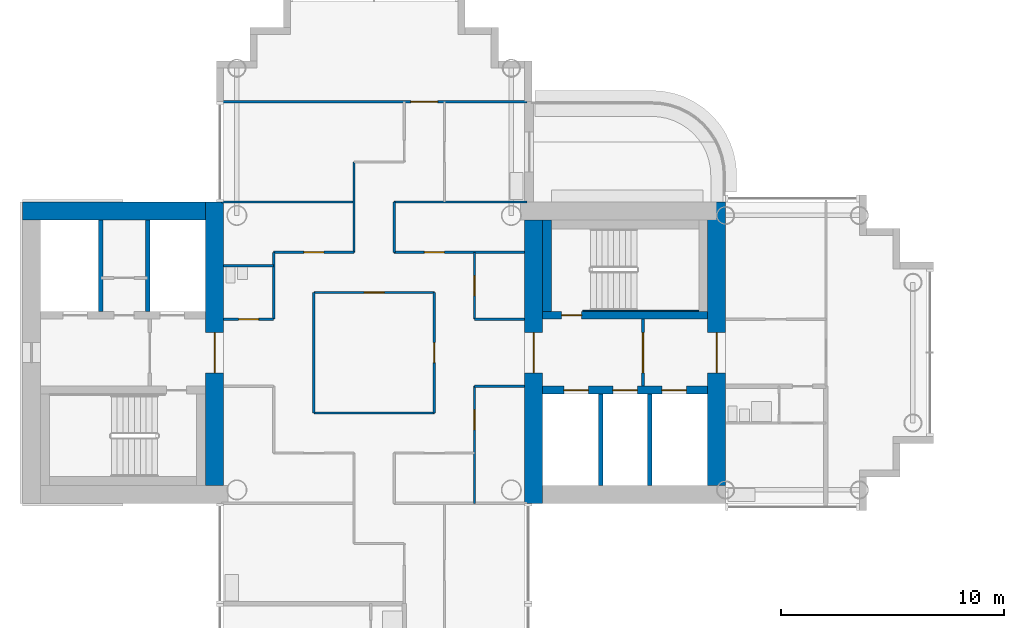
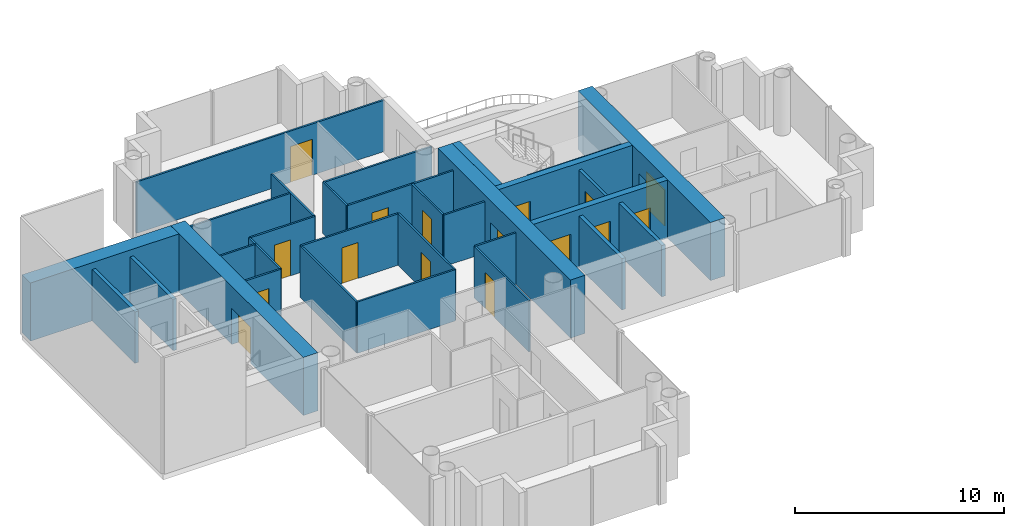
# One storey, part 8 of 19: 31 walls, 16 doors, 16 openings.
"""IFC4 building model written with IfcOpenShell, lengths in metres."""

from ifc_helpers import new_model, si_unit, direction, frame, frame_2d, origin, place, context, subcontext, project, spatial, rectangle, extrude, material, layer, layer_set, type_object, element, fill, save


model = new_model("IFC4")

# Units and contexts
model_context = context("Model", 3, precision=1e-05, world=origin(), true_north=direction((0.0, 1.0)))
body_context = subcontext(model_context, "Body", "Model", "MODEL_VIEW")
ifc_project = project(units=[si_unit("LENGTHUNIT", "METRE"), si_unit("AREAUNIT", "SQUARE_METRE"), si_unit("VOLUMEUNIT", "CUBIC_METRE"), si_unit("PLANEANGLEUNIT", "RADIAN"), si_unit("MASSUNIT", "GRAM", prefix="KILO")], contexts=[model_context])

# Site, building, storey
site_placement = place(None, origin())
site = spatial("IfcSite", under=ifc_project, at=site_placement, CompositionType="ELEMENT")
building_placement = place(site_placement, origin())
building = spatial("IfcBuilding", under=site, at=building_placement, Name="Ipe Terrace Towers", CompositionType="ELEMENT")
storey_placement = place(building_placement, frame((0.0, 0.0, 174.5)))
storey = spatial("IfcBuildingStorey", under=building, at=storey_placement, Name="L48", CompositionType="ELEMENT", Elevation=174.5)

# Walls
ifc_material_1 = material(Name="Gypsum board partition", Category="plasterboard")
ifc_layer_1 = layer(ifc_material_1, 0.10009765625)
ifc_layer_set_1 = layer_set([ifc_layer_1], Name="Gypsum board partition 100 mm")
wall_type_1 = type_object("IfcWallType", Name="Gypsum board partition 100 mm", PredefinedType="PARTITIONING", material=ifc_layer_set_1)
wall_1_placement = place(storey_placement, frame((-40.5, 1.5, 0.0), z_axis=(0.0, 0.0, 1.0), x_axis=(0.0, 1.0, 0.0)))
element("IfcWall", 1, at=wall_1_placement, inside=storey, type_object=wall_type_1, Name="Gypsum board partition T1 L48 W02", PredefinedType="PARTITIONING", context=body_context, shape_type="SweptSolid", body=[
    extrude(rectangle(XDim=3.0, YDim=0.10009765625, at=frame_2d((1.5, 0.0))), origin(), (0.0, 0.0, 1.0), 3.0),
])
wall_2_placement = place(storey_placement, frame((-38.699951171875, -2.699951171875, 0.0), z_axis=(0.0, 0.0, 1.0), x_axis=(0.0, 1.0, 0.0)))
element("IfcWall", 2, at=wall_2_placement, inside=storey, type_object=wall_type_1, Name="Gypsum board partition T1 L48 W03", PredefinedType="PARTITIONING", context=body_context, shape_type="SweptSolid", body=[
    extrude(rectangle(XDim=5.39990234375, YDim=0.10009765625, at=frame_2d((2.699951171875, 0.0))), origin(), (0.0, 0.0, 1.0), 3.0),
])
wall_3_placement = place(storey_placement, frame((-36.89990234375, 4.5, 0.0), z_axis=(0.0, 0.0, 1.0), x_axis=(0.0, 1.0, 0.0)))
element("IfcWall", 3, at=wall_3_placement, inside=storey, type_object=wall_type_1, Name="Gypsum board partition T1 L48 W05", PredefinedType="PARTITIONING", context=body_context, shape_type="SweptSolid", body=[
    extrude(rectangle(XDim=4.050048828125, YDim=0.10009765625, at=frame_2d((2.02490234375, 0.0))), origin(), (0.0, 0.0, 1.0), 3.0),
])
wall_4_placement = place(storey_placement, frame((-35.10009765625, 4.5, 0.0), z_axis=(0.0, 0.0, 1.0), x_axis=(0.0, 1.0, 0.0)))
element("IfcWall", 4, at=wall_4_placement, inside=storey, type_object=wall_type_1, Name="Gypsum board partition T1 L48 W08", PredefinedType="PARTITIONING", context=body_context, shape_type="SweptSolid", body=[
    extrude(rectangle(XDim=2.25, YDim=0.10009765625, at=frame_2d((1.125, 0.0))), origin(), (0.0, 0.0, 1.0), 3.0),
])

# Wall, opening, door
wall_5_placement = place(storey_placement, frame((-33.300048828125, -2.699951171875, 0.0), z_axis=(0.0, 0.0, 1.0), x_axis=(0.0, 1.0, 0.0)))
wall_5 = element("IfcWall", 5, at=wall_5_placement, inside=storey, type_object=wall_type_1, Name="Gypsum board partition T1 L48 W12", PredefinedType="PARTITIONING", context=body_context, shape_type="SweptSolid", body=[
    extrude(rectangle(XDim=5.39990234375, YDim=0.10009765625, at=frame_2d((2.699951171875, 0.0))), origin(), (0.0, 0.0, 1.0), 3.0),
])
opening_1_placement = place(wall_5_placement, frame((2.25, 0.0, 0.0)))
opening_1 = element("IfcOpeningElement", 6, at=opening_1_placement, cuts=wall_5, Name="Opening T1-Z3D-02", PredefinedType="OPENING", context=body_context, shape_type="SweptSolid", body=[
    extrude(rectangle(XDim=0.89990234375, YDim=2.10009765625, at=frame_2d((0.449951171875, 1.050048828125))), frame((0.0, 0.06005859375, 0.0), z_axis=(0.0, -1.0, 0.0), x_axis=(1.0, 0.0, 0.0)), (0.0, 0.0, 1.0), 0.1201171875),
])
ifc_material_2 = material(Name="Timber door leaf", Category="wood")
door_type_1 = type_object("IfcDoorType", Name="Lounge door 900 x 2100", OperationType="NOTDEFINED", PredefinedType="DOOR", material=ifc_material_2)
door_1_placement = place(opening_1_placement, origin())
door_1 = element("IfcDoor", 7, at=door_1_placement, inside=storey, type_object=door_type_1, Name="Lounge door T1-Z3D-02", OperationType="SINGLE_SWING_LEFT", OverallHeight=2.10009765625, OverallWidth=0.89990234375, PredefinedType="DOOR", context=body_context, shape_type="SweptSolid", body=[
    extrude(rectangle(XDim=0.89990234375, YDim=2.10009765625, at=frame_2d((0.449951171875, 1.050048828125))), frame((0.0, 0.02490234375, 0.0), z_axis=(0.0, -1.0, 0.0), x_axis=(1.0, 0.0, 0.0)), (0.0, 0.0, 1.0), 0.050048828125),
])
fill(opening_1, door_1)

wall_6_placement = place(storey_placement, frame((-31.5, -6.75, 0.0), z_axis=(0.0, 0.0, 1.0), x_axis=(0.0, 1.0, 0.0)))
wall_6 = element("IfcWall", 8, at=wall_6_placement, inside=storey, type_object=wall_type_1, Name="Gypsum board partition T1 L48 W15", PredefinedType="PARTITIONING", context=body_context, shape_type="SweptSolid", body=[
    extrude(rectangle(XDim=5.25, YDim=0.10009765625, at=frame_2d((2.625, 0.0))), origin(), (0.0, 0.0, 1.0), 3.0),
])
opening_2_placement = place(wall_6_placement, frame((3.300048828125, 0.0, 0.0)))
opening_2 = element("IfcOpeningElement", 9, at=opening_2_placement, cuts=wall_6, Name="Opening T1-Z3D-09", PredefinedType="OPENING", context=body_context, shape_type="SweptSolid", body=[
    extrude(rectangle(XDim=0.89990234375, YDim=2.10009765625, at=frame_2d((0.449951171875, 1.050048828125))), frame((0.0, 0.06005859375, 0.0), z_axis=(0.0, -1.0, 0.0), x_axis=(1.0, 0.0, 0.0)), (0.0, 0.0, 1.0), 0.1201171875),
])
door_2_placement = place(opening_2_placement, origin())
door_2 = element("IfcDoor", 10, at=door_2_placement, inside=storey, type_object=door_type_1, Name="Lounge door T1-Z3D-09", OperationType="SINGLE_SWING_RIGHT", OverallHeight=2.10009765625, OverallWidth=0.89990234375, PredefinedType="DOOR", context=body_context, shape_type="SweptSolid", body=[
    extrude(rectangle(XDim=0.89990234375, YDim=2.10009765625, at=frame_2d((0.449951171875, 1.050048828125))), frame((0.0, 0.02490234375, 0.0), z_axis=(0.0, -1.0, 0.0), x_axis=(1.0, 0.0, 0.0)), (0.0, 0.0, 1.0), 0.050048828125),
])
fill(opening_2, door_2)

wall_7_placement = place(storey_placement, frame((-31.5, 1.5, 0.0), z_axis=(0.0, 0.0, 1.0), x_axis=(0.0, 1.0, 0.0)))
wall_7 = element("IfcWall", 11, at=wall_7_placement, inside=storey, type_object=wall_type_1, Name="Gypsum board partition T1 L48 W16", PredefinedType="PARTITIONING", context=body_context, shape_type="SweptSolid", body=[
    extrude(rectangle(XDim=3.0, YDim=0.10009765625, at=frame_2d((1.5, 0.0))), origin(), (0.0, 0.0, 1.0), 3.0),
])
opening_3_placement = place(wall_7_placement, frame((1.050048828125, 0.0, 0.0)))
opening_3 = element("IfcOpeningElement", 12, at=opening_3_placement, cuts=wall_7, Name="Opening T1-Z3D-05", PredefinedType="OPENING", context=body_context, shape_type="SweptSolid", body=[
    extrude(rectangle(XDim=0.89990234375, YDim=2.10009765625, at=frame_2d((0.449951171875, 1.050048828125))), frame((0.0, 0.06005859375, 0.0), z_axis=(0.0, -1.0, 0.0), x_axis=(1.0, 0.0, 0.0)), (0.0, 0.0, 1.0), 0.1201171875),
])
door_3_placement = place(opening_3_placement, origin())
door_3 = element("IfcDoor", 13, at=door_3_placement, inside=storey, type_object=door_type_1, Name="Lounge door T1-Z3D-05", OperationType="SINGLE_SWING_RIGHT", OverallHeight=2.10009765625, OverallWidth=0.89990234375, PredefinedType="DOOR", context=body_context, shape_type="SweptSolid", body=[
    extrude(rectangle(XDim=0.89990234375, YDim=2.10009765625, at=frame_2d((0.449951171875, 1.050048828125))), frame((0.0, 0.02490234375, 0.0), z_axis=(0.0, -1.0, 0.0), x_axis=(1.0, 0.0, 0.0)), (0.0, 0.0, 1.0), 0.050048828125),
])
fill(opening_3, door_3)

# Walls
wall_8_placement = place(storey_placement, frame((-38.699951171875, -2.699951171875, 0.0), z_axis=(0.0, 0.0, 1.0), x_axis=(1.0, 0.0, 0.0)))
element("IfcWall", 14, at=wall_8_placement, inside=storey, type_object=wall_type_1, Name="Gypsum board partition T1 L48 W30", PredefinedType="PARTITIONING", context=body_context, shape_type="SweptSolid", body=[
    extrude(rectangle(XDim=5.39990234375, YDim=0.10009765625, at=frame_2d((2.699951171875, 0.0))), origin(), (0.0, 0.0, 1.0), 3.0),
])
wall_9_placement = place(storey_placement, frame((-31.5, -1.5, 0.0), z_axis=(0.0, 0.0, 1.0), x_axis=(1.0, 0.0, 0.0)))
element("IfcWall", 15, at=wall_9_placement, inside=storey, type_object=wall_type_1, Name="Gypsum board partition T1 L48 W32", PredefinedType="PARTITIONING", context=body_context, shape_type="SweptSolid", body=[
    extrude(rectangle(XDim=2.25, YDim=0.10009765625, at=frame_2d((1.125, 0.0))), origin(), (0.0, 0.0, 1.0), 3.0),
])

# Wall, opening, door
wall_10_placement = place(storey_placement, frame((-42.75, 1.5, 0.0), z_axis=(0.0, 0.0, 1.0), x_axis=(1.0, 0.0, 0.0)))
wall_10 = element("IfcWall", 16, at=wall_10_placement, inside=storey, type_object=wall_type_1, Name="Gypsum board partition T1 L48 W34", PredefinedType="PARTITIONING", context=body_context, shape_type="SweptSolid", body=[
    extrude(rectangle(XDim=2.25, YDim=0.10009765625, at=frame_2d((1.125, 0.0))), origin(), (0.0, 0.0, 1.0), 3.0),
])
opening_4_placement = place(wall_10_placement, frame((0.675048828125, 0.0, 0.0)))
opening_4 = element("IfcOpeningElement", 17, at=opening_4_placement, cuts=wall_10, Name="Opening T1-Z3D-03", PredefinedType="OPENING", context=body_context, shape_type="SweptSolid", body=[
    extrude(rectangle(XDim=0.89990234375, YDim=2.10009765625, at=frame_2d((0.449951171875, 1.050048828125))), frame((0.0, 0.06005859375, 0.0), z_axis=(0.0, -1.0, 0.0), x_axis=(1.0, 0.0, 0.0)), (0.0, 0.0, 1.0), 0.1201171875),
])
ifc_material_3 = material(Name="Timber door leaf", Category="wood")
door_type_2 = type_object("IfcDoorType", Name="Bathroom door 900 x 2100", OperationType="NOTDEFINED", PredefinedType="DOOR", material=ifc_material_3)
door_4_placement = place(opening_4_placement, origin())
door_4 = element("IfcDoor", 18, at=door_4_placement, inside=storey, type_object=door_type_2, Name="Bathroom door T1-Z3D-03", OperationType="SINGLE_SWING_LEFT", OverallHeight=2.10009765625, OverallWidth=0.89990234375, PredefinedType="DOOR", context=body_context, shape_type="SweptSolid", body=[
    extrude(rectangle(XDim=0.89990234375, YDim=2.10009765625, at=frame_2d((0.449951171875, 1.050048828125))), frame((0.0, 0.02490234375, 0.0), z_axis=(0.0, -1.0, 0.0), x_axis=(1.0, 0.0, 0.0)), (0.0, 0.0, 1.0), 0.050048828125),
])
fill(opening_4, door_4)

# Wall
wall_11_placement = place(storey_placement, frame((-31.5, 1.5, 0.0), z_axis=(0.0, 0.0, 1.0), x_axis=(1.0, 0.0, 0.0)))
element("IfcWall", 19, at=wall_11_placement, inside=storey, type_object=wall_type_1, Name="Gypsum board partition T1 L48 W35", PredefinedType="PARTITIONING", context=body_context, shape_type="SweptSolid", body=[
    extrude(rectangle(XDim=2.25, YDim=0.10009765625, at=frame_2d((1.125, 0.0))), origin(), (0.0, 0.0, 1.0), 3.0),
])

# Wall, opening, door
wall_12_placement = place(storey_placement, frame((-38.699951171875, 2.699951171875, 0.0), z_axis=(0.0, 0.0, 1.0), x_axis=(1.0, 0.0, 0.0)))
wall_12 = element("IfcWall", 20, at=wall_12_placement, inside=storey, type_object=wall_type_1, Name="Gypsum board partition T1 L48 W37", PredefinedType="PARTITIONING", context=body_context, shape_type="SweptSolid", body=[
    extrude(rectangle(XDim=5.39990234375, YDim=0.10009765625, at=frame_2d((2.699951171875, 0.0))), origin(), (0.0, 0.0, 1.0), 3.0),
])
opening_5_placement = place(wall_12_placement, frame((2.25, 0.0, 0.0)))
opening_5 = element("IfcOpeningElement", 21, at=opening_5_placement, cuts=wall_12, Name="Opening T1-Z3D-01", PredefinedType="OPENING", context=body_context, shape_type="SweptSolid", body=[
    extrude(rectangle(XDim=0.89990234375, YDim=2.10009765625, at=frame_2d((0.449951171875, 1.050048828125))), frame((0.0, 0.06005859375, 0.0), z_axis=(0.0, -1.0, 0.0), x_axis=(1.0, 0.0, 0.0)), (0.0, 0.0, 1.0), 0.1201171875),
])
door_5_placement = place(opening_5_placement, origin())
door_5 = element("IfcDoor", 22, at=door_5_placement, inside=storey, type_object=door_type_1, Name="Lounge door T1-Z3D-01", OperationType="SINGLE_SWING_RIGHT", OverallHeight=2.10009765625, OverallWidth=0.89990234375, PredefinedType="DOOR", context=body_context, shape_type="SweptSolid", body=[
    extrude(rectangle(XDim=0.89990234375, YDim=2.10009765625, at=frame_2d((0.449951171875, 1.050048828125))), frame((0.0, 0.02490234375, 0.0), z_axis=(0.0, -1.0, 0.0), x_axis=(1.0, 0.0, 0.0)), (0.0, 0.0, 1.0), 0.050048828125),
])
fill(opening_5, door_5)

# Wall
wall_13_placement = place(storey_placement, frame((-42.75, 3.89990234375, 0.0), z_axis=(0.0, 0.0, 1.0), x_axis=(1.0, 0.0, 0.0)))
element("IfcWall", 23, at=wall_13_placement, inside=storey, type_object=wall_type_1, Name="Gypsum board partition T1 L48 W38", PredefinedType="PARTITIONING", context=body_context, shape_type="SweptSolid", body=[
    extrude(rectangle(XDim=2.25, YDim=0.10009765625, at=frame_2d((1.125, 0.0))), origin(), (0.0, 0.0, 1.0), 3.0),
])

# Wall, opening, door
wall_14_placement = place(storey_placement, frame((-40.5, 4.5, 0.0), z_axis=(0.0, 0.0, 1.0), x_axis=(1.0, 0.0, 0.0)))
wall_14 = element("IfcWall", 24, at=wall_14_placement, inside=storey, type_object=wall_type_1, Name="Gypsum board partition T1 L48 W39", PredefinedType="PARTITIONING", context=body_context, shape_type="SweptSolid", body=[
    extrude(rectangle(XDim=3.60009765625, YDim=0.10009765625, at=frame_2d((1.800048828125, 0.0))), origin(), (0.0, 0.0, 1.0), 3.0),
])
opening_6_placement = place(wall_14_placement, frame((1.35009765625, 0.0, 0.0)))
opening_6 = element("IfcOpeningElement", 25, at=opening_6_placement, cuts=wall_14, Name="Opening T1-Z3D-06", PredefinedType="OPENING", context=body_context, shape_type="SweptSolid", body=[
    extrude(rectangle(XDim=0.89990234375, YDim=2.10009765625, at=frame_2d((0.449951171875, 1.050048828125))), frame((0.0, 0.06005859375, 0.0), z_axis=(0.0, -1.0, 0.0), x_axis=(1.0, 0.0, 0.0)), (0.0, 0.0, 1.0), 0.1201171875),
])
door_6_placement = place(opening_6_placement, origin())
door_6 = element("IfcDoor", 26, at=door_6_placement, inside=storey, type_object=door_type_1, Name="Lounge door T1-Z3D-06", OperationType="SINGLE_SWING_RIGHT", OverallHeight=2.10009765625, OverallWidth=0.89990234375, PredefinedType="DOOR", context=body_context, shape_type="SweptSolid", body=[
    extrude(rectangle(XDim=0.89990234375, YDim=2.10009765625, at=frame_2d((0.449951171875, 1.050048828125))), frame((0.0, 0.02490234375, 0.0), z_axis=(0.0, -1.0, 0.0), x_axis=(1.0, 0.0, 0.0)), (0.0, 0.0, 1.0), 0.050048828125),
])
fill(opening_6, door_6)

wall_15_placement = place(storey_placement, frame((-35.10009765625, 4.5, 0.0), z_axis=(0.0, 0.0, 1.0), x_axis=(1.0, 0.0, 0.0)))
wall_15 = element("IfcWall", 27, at=wall_15_placement, inside=storey, type_object=wall_type_1, Name="Gypsum board partition T1 L48 W40", PredefinedType="PARTITIONING", context=body_context, shape_type="SweptSolid", body=[
    extrude(rectangle(XDim=5.85009765625, YDim=0.10009765625, at=frame_2d((2.925048828125, 0.0))), origin(), (0.0, 0.0, 1.0), 3.0),
])
opening_7_placement = place(wall_15_placement, frame((1.35009765625, 0.0, 0.0)))
opening_7 = element("IfcOpeningElement", 28, at=opening_7_placement, cuts=wall_15, Name="Opening T1-Z3D-04", PredefinedType="OPENING", context=body_context, shape_type="SweptSolid", body=[
    extrude(rectangle(XDim=0.89990234375, YDim=2.10009765625, at=frame_2d((0.449951171875, 1.050048828125))), frame((0.0, 0.06005859375, 0.0), z_axis=(0.0, -1.0, 0.0), x_axis=(1.0, 0.0, 0.0)), (0.0, 0.0, 1.0), 0.1201171875),
])
door_7_placement = place(opening_7_placement, origin())
door_7 = element("IfcDoor", 29, at=door_7_placement, inside=storey, type_object=door_type_1, Name="Lounge door T1-Z3D-04", OperationType="SINGLE_SWING_RIGHT", OverallHeight=2.10009765625, OverallWidth=0.89990234375, PredefinedType="DOOR", context=body_context, shape_type="SweptSolid", body=[
    extrude(rectangle(XDim=0.89990234375, YDim=2.10009765625, at=frame_2d((0.449951171875, 1.050048828125))), frame((0.0, 0.02490234375, 0.0), z_axis=(0.0, -1.0, 0.0), x_axis=(1.0, 0.0, 0.0)), (0.0, 0.0, 1.0), 0.050048828125),
])
fill(opening_7, door_7)

# Walls
for number, where, z_axis, x_axis, name in (
    (30, (-42.85009765625, 6.75, 0.0), (0.0, 0.0, 1.0), (1.0, 0.0, 0.0), "Gypsum board partition T1 L48 W41"),
    (31, (-35.10009765625, 6.75, 0.0), (0.0, 0.0, 1.0), (1.0, 0.0, 0.0), "Gypsum board partition T1 L48 W42"),
):
    element("IfcWall", number, at=place(storey_placement, frame(where, z_axis=z_axis, x_axis=x_axis)), inside=storey, type_object=wall_type_1, Name=name, PredefinedType="PARTITIONING", context=body_context, shape_type="SweptSolid", body=[
        extrude(rectangle(XDim=5.9501953125, YDim=0.10009765625, at=frame_2d((2.97509765625, 0.0))), origin(), (0.0, 0.0, 1.0), 3.0),
    ])

# Wall, opening, door
wall_16_placement = place(storey_placement, frame((-42.85009765625, 11.25, 0.0), z_axis=(0.0, 0.0, 1.0), x_axis=(1.0, 0.0, 0.0)))
wall_16 = element("IfcWall", 32, at=wall_16_placement, inside=storey, type_object=wall_type_1, Name="Gypsum board partition T1 L48 W44", PredefinedType="PARTITIONING", context=body_context, shape_type="SweptSolid", body=[
    extrude(rectangle(XDim=13.7001953125, YDim=0.10009765625, at=frame_2d((6.85009765625, 0.0))), origin(), (0.0, 0.0, 1.0), 3.0),
])
opening_8_placement = place(wall_16_placement, frame((8.5, 0.0, 0.0)))
opening_8 = element("IfcOpeningElement", 33, at=opening_8_placement, cuts=wall_16, Name="Opening T1-Z3D-12", PredefinedType="OPENING", context=body_context, shape_type="SweptSolid", body=[
    extrude(rectangle(XDim=1.199951171875, YDim=2.10009765625, at=frame_2d((0.60009765625, 1.050048828125))), frame((0.0, 0.06005859375, 0.0), z_axis=(0.0, -1.0, 0.0), x_axis=(1.0, 0.0, 0.0)), (0.0, 0.0, 1.0), 0.1201171875),
])
ifc_material_4 = material(Name="Timber door leaf", Category="wood")
door_type_3 = type_object("IfcDoorType", Name="Lounge door 1200 x 2100", OperationType="NOTDEFINED", PredefinedType="DOOR", material=ifc_material_4)
door_8_placement = place(opening_8_placement, origin())
door_8 = element("IfcDoor", 34, at=door_8_placement, inside=storey, type_object=door_type_3, Name="Lounge door T1-Z3D-12", OperationType="SINGLE_SWING_LEFT", OverallHeight=2.10009765625, OverallWidth=1.199951171875, PredefinedType="DOOR", context=body_context, shape_type="SweptSolid", body=[
    extrude(rectangle(XDim=1.199951171875, YDim=2.10009765625, at=frame_2d((0.60009765625, 1.050048828125))), frame((0.0, 0.02490234375, 0.0), z_axis=(0.0, -1.0, 0.0), x_axis=(1.0, 0.0, 0.0)), (0.0, 0.0, 1.0), 0.050048828125),
])
fill(opening_8, door_8)

ifc_material_5 = material(Name="Gypsum board partition", Category="plasterboard")
ifc_layer_2 = layer(ifc_material_5, 0.14990234375)
ifc_layer_set_2 = layer_set([ifc_layer_2], Name="Gypsum board partition 150 mm")
wall_type_2 = type_object("IfcWallType", Name="Gypsum board partition 150 mm", PredefinedType="PARTITIONING", material=ifc_layer_set_2)
wall_17_placement = place(storey_placement, frame((-23.949951171875, -1.5, 0.0), z_axis=(0.0, 0.0, 1.0), x_axis=(0.0, 1.0, 0.0)))
wall_17 = element("IfcWall", 35, at=wall_17_placement, inside=storey, type_object=wall_type_2, Name="Gypsum board partition T1 L48 t1c1-lobby-wall", PredefinedType="PARTITIONING", context=body_context, shape_type="SweptSolid", body=[
    extrude(rectangle(XDim=3.0, YDim=0.14990234375, at=frame_2d((1.5, 0.0))), origin(), (0.0, 0.0, 1.0), 3.0),
])
opening_9_placement = place(wall_17_placement, frame((0.60009765625, 0.0, 0.0)))
opening_9 = element("IfcOpeningElement", 36, at=opening_9_placement, cuts=wall_17, Name="Opening T1C1-VD", PredefinedType="OPENING", context=body_context, shape_type="SweptSolid", body=[
    extrude(rectangle(XDim=1.800048828125, YDim=2.10009765625, at=frame_2d((0.89990234375, 1.050048828125))), frame((0.0, 0.0849609375, 0.0), z_axis=(0.0, -1.0, 0.0), x_axis=(1.0, 0.0, 0.0)), (0.0, 0.0, 1.0), 0.169921875),
])
ifc_material_6 = material(Name="Fire-rated timber door leaf", Category="wood")
door_type_4 = type_object("IfcDoorType", Name="Lobby door 1800 x 2100 FD60", OperationType="NOTDEFINED", PredefinedType="DOOR", material=ifc_material_6)
door_9_placement = place(opening_9_placement, origin())
door_9 = element("IfcDoor", 37, at=door_9_placement, inside=storey, type_object=door_type_4, Name="Lobby door T1C1-VD", OperationType="SINGLE_SWING_LEFT", OverallHeight=2.10009765625, OverallWidth=1.800048828125, PredefinedType="DOOR", context=body_context, shape_type="SweptSolid", body=[
    extrude(rectangle(XDim=1.800048828125, YDim=2.10009765625, at=frame_2d((0.89990234375, 1.050048828125))), frame((0.0, 0.02490234375, 0.0), z_axis=(0.0, -1.0, 0.0), x_axis=(1.0, 0.0, 0.0)), (0.0, 0.0, 1.0), 0.050048828125),
])
fill(opening_9, door_9)

# Walls
ifc_material_7 = material(Name="Gypsum board party wall", Category="plasterboard")
ifc_layer_3 = layer(ifc_material_7, 0.199951171875)
ifc_layer_set_3 = layer_set([ifc_layer_3], Name="Gypsum board party wall 200 mm")
wall_type_3 = type_object("IfcWallType", Name="Gypsum board party wall 200 mm", PredefinedType="SOLIDWALL", material=ifc_layer_set_3)
for number, where, z_axis, x_axis, name in (
    (38, (-25.85009765625, -5.949951171875, 0.0), (0.0, 0.0, 1.0), (0.0, 1.0, 0.0), "Gypsum board party wall T1 L48 t1c1-shaft-div1"),
    (39, (-23.64990234375, -5.949951171875, 0.0), (0.0, 0.0, 1.0), (0.0, 1.0, 0.0), "Gypsum board party wall T1 L48 t1c1-shaft-div2"),
    (40, (-48.25, 5.949951171875, 0.0), (0.0, 0.0, 1.0), (0.0, -1.0, 0.0), "Gypsum board party wall T1 L48 t1c2-shaft-div2"),
    (41, (-46.14990234375, 5.949951171875, 0.0), (0.0, 0.0, 1.0), (0.0, -1.0, 0.0), "Gypsum board party wall T1 L48 t1c2-shaft-div1"),
):
    element("IfcWall", number, at=place(storey_placement, frame(where, z_axis=z_axis, x_axis=x_axis)), inside=storey, type_object=wall_type_3, Name=name, PredefinedType="SOLIDWALL", context=body_context, shape_type="SweptSolid", body=[
        extrude(rectangle(XDim=4.099853515625, YDim=0.199951171875, at=frame_2d((2.0498046875, 0.0))), origin(), (0.0, 0.0, 1.0), 3.0),
    ])

# Wall, openings, doors
ifc_material_8 = material(Name="Concrete C50/60", Category="concrete")
ifc_layer_4 = layer(ifc_material_8, 0.35009765625)
ifc_layer_set_4 = layer_set([ifc_layer_4], Name="RW350 CORE SPINE WALL 350 C50-60")
wall_type_4 = type_object("IfcWallType", Name="RW350 CORE SPINE WALL 350 C50-60", PredefinedType="SHEAR", material=ifc_layer_set_4)
wall_18_placement = place(storey_placement, frame((-28.449951171875, -1.675048828125, 0.0), z_axis=(0.0, 0.0, 1.0), x_axis=(1.0, 0.0, 0.0)))
wall_18 = element("IfcWall", 42, at=wall_18_placement, inside=storey, type_object=wall_type_4, Name="Core spine wall T1-C1-Z3-SW1", PredefinedType="SHEAR", context=body_context, shape_type="SweptSolid", body=[
    extrude(rectangle(XDim=7.39990234375, YDim=0.35009765625, at=frame_2d((3.699951171875, 0.0))), origin(), (0.0, 0.0, 1.0), 3.39990234375),
])
opening_10_placement = place(wall_18_placement, frame((0.949951171875, 0.0, 0.0)))
opening_10 = element("IfcOpeningElement", 43, at=opening_10_placement, cuts=wall_18, Name="Opening T1C1-LD1", PredefinedType="OPENING", context=body_context, shape_type="SweptSolid", body=[
    extrude(rectangle(XDim=1.10009765625, YDim=2.10009765625, at=frame_2d((0.550048828125, 1.050048828125))), frame((0.0, 0.18505859375, 0.0), z_axis=(0.0, -1.0, 0.0), x_axis=(1.0, 0.0, 0.0)), (0.0, 0.0, 1.0), 0.3701171875),
])
opening_11_placement = place(wall_18_placement, frame((3.14990234375, 0.0, 0.0)))
opening_11 = element("IfcOpeningElement", 44, at=opening_11_placement, cuts=wall_18, Name="Opening T1C1-LD2", PredefinedType="OPENING", context=body_context, shape_type="SweptSolid", body=[
    extrude(rectangle(XDim=1.10009765625, YDim=2.10009765625, at=frame_2d((0.550048828125, 1.050048828125))), frame((0.0, 0.18505859375, 0.0), z_axis=(0.0, -1.0, 0.0), x_axis=(1.0, 0.0, 0.0)), (0.0, 0.0, 1.0), 0.3701171875),
])
opening_12_placement = place(wall_18_placement, frame((5.35009765625, 0.0, 0.0)))
opening_12 = element("IfcOpeningElement", 45, at=opening_12_placement, cuts=wall_18, Name="Opening T1C1-LD3", PredefinedType="OPENING", context=body_context, shape_type="SweptSolid", body=[
    extrude(rectangle(XDim=1.10009765625, YDim=2.10009765625, at=frame_2d((0.550048828125, 1.050048828125))), frame((0.0, 0.18505859375, 0.0), z_axis=(0.0, -1.0, 0.0), x_axis=(1.0, 0.0, 0.0)), (0.0, 0.0, 1.0), 0.3701171875),
])
ifc_material_9 = material(Name="Fire-rated timber door leaf", Category="wood")
door_type_5 = type_object("IfcDoorType", Name="Sliding door 1100 x 2100 FD60", OperationType="SLIDING_TO_LEFT", PredefinedType="DOOR", material=ifc_material_9)
door_10_placement = place(opening_10_placement, origin())
door_10 = element("IfcDoor", 46, at=door_10_placement, inside=storey, type_object=door_type_5, Name="Sliding door T1C1-LD1", OperationType="SLIDING_TO_LEFT", OverallHeight=2.10009765625, OverallWidth=1.10009765625, PredefinedType="DOOR", context=body_context, shape_type="SweptSolid", body=[
    extrude(rectangle(XDim=1.10009765625, YDim=2.10009765625, at=frame_2d((0.550048828125, 1.050048828125))), frame((0.0, 0.02490234375, 0.0), z_axis=(0.0, -1.0, 0.0), x_axis=(1.0, 0.0, 0.0)), (0.0, 0.0, 1.0), 0.050048828125),
])
fill(opening_10, door_10)
door_11_placement = place(opening_11_placement, origin())
door_11 = element("IfcDoor", 47, at=door_11_placement, inside=storey, type_object=door_type_5, Name="Sliding door T1C1-LD2", OperationType="SLIDING_TO_LEFT", OverallHeight=2.10009765625, OverallWidth=1.10009765625, PredefinedType="DOOR", context=body_context, shape_type="SweptSolid", body=[
    extrude(rectangle(XDim=1.10009765625, YDim=2.10009765625, at=frame_2d((0.550048828125, 1.050048828125))), frame((0.0, 0.02490234375, 0.0), z_axis=(0.0, -1.0, 0.0), x_axis=(1.0, 0.0, 0.0)), (0.0, 0.0, 1.0), 0.050048828125),
])
fill(opening_11, door_11)
door_12_placement = place(opening_12_placement, origin())
door_12 = element("IfcDoor", 48, at=door_12_placement, inside=storey, type_object=door_type_5, Name="Sliding door T1C1-LD3", OperationType="SLIDING_TO_LEFT", OverallHeight=2.10009765625, OverallWidth=1.10009765625, PredefinedType="DOOR", context=body_context, shape_type="SweptSolid", body=[
    extrude(rectangle(XDim=1.10009765625, YDim=2.10009765625, at=frame_2d((0.550048828125, 1.050048828125))), frame((0.0, 0.02490234375, 0.0), z_axis=(0.0, -1.0, 0.0), x_axis=(1.0, 0.0, 0.0)), (0.0, 0.0, 1.0), 0.050048828125),
])
fill(opening_12, door_12)

# Wall, opening, door
wall_19_placement = place(storey_placement, frame((-28.449951171875, 1.675048828125, 0.0), z_axis=(0.0, 0.0, 1.0), x_axis=(1.0, 0.0, 0.0)))
wall_19 = element("IfcWall", 49, at=wall_19_placement, inside=storey, type_object=wall_type_4, Name="Core spine wall T1-C1-Z3-SW2", PredefinedType="SHEAR", context=body_context, shape_type="SweptSolid", body=[
    extrude(rectangle(XDim=7.39990234375, YDim=0.35009765625, at=frame_2d((3.699951171875, 0.0))), origin(), (0.0, 0.0, 1.0), 3.39990234375),
])
opening_13_placement = place(wall_19_placement, frame((0.85009765625, 0.0, 0.0)))
opening_13 = element("IfcOpeningElement", 50, at=opening_13_placement, cuts=wall_19, Name="Opening T1C1-SD", PredefinedType="OPENING", context=body_context, shape_type="SweptSolid", body=[
    extrude(rectangle(XDim=0.89990234375, YDim=2.10009765625, at=frame_2d((0.449951171875, 1.050048828125))), frame((0.0, 0.18505859375, 0.0), z_axis=(0.0, -1.0, 0.0), x_axis=(1.0, 0.0, 0.0)), (0.0, 0.0, 1.0), 0.3701171875),
])
ifc_material_10 = material(Name="Fire-rated timber door leaf", Category="wood")
door_type_6 = type_object("IfcDoorType", Name="Stair door 900 x 2100 FD60", OperationType="NOTDEFINED", PredefinedType="DOOR", material=ifc_material_10)
door_13_placement = place(opening_13_placement, origin())
door_13 = element("IfcDoor", 51, at=door_13_placement, inside=storey, type_object=door_type_6, Name="Stair door T1C1-SD", OperationType="SINGLE_SWING_LEFT", OverallHeight=2.10009765625, OverallWidth=0.89990234375, PredefinedType="DOOR", context=body_context, shape_type="SweptSolid", body=[
    extrude(rectangle(XDim=0.89990234375, YDim=2.10009765625, at=frame_2d((0.449951171875, 1.050048828125))), frame((0.0, 0.02490234375, 0.0), z_axis=(0.0, -1.0, 0.0), x_axis=(1.0, 0.0, 0.0)), (0.0, 0.0, 1.0), 0.050048828125),
])
fill(opening_13, door_13)

# Walls
ifc_material_11 = material(Name="Concrete C50/60", Category="concrete")
ifc_layer_5 = layer(ifc_material_11, 0.39990234375)
ifc_layer_set_5 = layer_set([ifc_layer_5], Name="RW400 CORE INFILL WALL 400 C50-60")
wall_type_5 = type_object("IfcWallType", Name="RW400 CORE INFILL WALL 400 C50-60", PredefinedType="SHEAR", material=ifc_layer_set_5)
wall_20_placement = place(storey_placement, frame((-28.25, 1.85009765625, 0.0), z_axis=(0.0, 0.0, 1.0), x_axis=(0.0, 1.0, 0.0)))
element("IfcWall", 52, at=wall_20_placement, inside=storey, type_object=wall_type_5, Name="Core infill wall T1-C1-near", PredefinedType="SHEAR", context=body_context, shape_type="SweptSolid", body=[
    extrude(rectangle(XDim=4.099853515625, YDim=0.39990234375, at=frame_2d((2.0498046875, 0.0))), origin(), (0.0, 0.0, 1.0), 3.39990234375),
])
ifc_material_12 = material(Name="Concrete C50/60", Category="concrete")
ifc_layer_6 = layer(ifc_material_12, 0.050048828125)
ifc_layer_set_6 = layer_set([ifc_layer_6], Name="RW50 CORE INFILL WALL 50 C50-60")
wall_type_6 = type_object("IfcWallType", Name="RW50 CORE INFILL WALL 50 C50-60", PredefinedType="SHEAR", material=ifc_layer_set_6)
wall_21_placement = place(storey_placement, frame((-26.64990234375, 1.875, 0.0), z_axis=(0.0, 0.0, 1.0), x_axis=(1.0, 0.0, 0.0)))
element("IfcWall", 53, at=wall_21_placement, inside=storey, type_object=wall_type_6, Name="Core infill wall T1-C1-spine-b", PredefinedType="SHEAR", context=body_context, shape_type="SweptSolid", body=[
    extrude(rectangle(XDim=5.199951171875, YDim=0.050048828125, at=frame_2d((2.60009765625, 0.0))), origin(), (0.0, 0.0, 1.0), 3.39990234375),
])

# Wall, opening, door
ifc_material_13 = material(Name="Concrete C50/60", Category="concrete")
ifc_layer_7 = layer(ifc_material_13, 0.800048828125)
ifc_layer_set_7 = layer_set([ifc_layer_7], Name="RW800 CORE WALL 800 C50-60")
wall_type_7 = type_object("IfcWallType", Name="RW800 CORE WALL 800 C50-60", PredefinedType="SHEAR", material=ifc_layer_set_7)
wall_22_placement = place(storey_placement, frame((-20.64990234375, -5.949951171875, 0.0), z_axis=(0.0, 0.0, 1.0), x_axis=(0.0, 1.0, 0.0)))
wall_22 = element("IfcWall", 54, at=wall_22_placement, inside=storey, type_object=wall_type_7, Name="Core wall T1-C1-Z3-W02", PredefinedType="SHEAR", context=body_context, shape_type="SweptSolid", body=[
    extrude(rectangle(XDim=12.699951171875, YDim=0.800048828125, at=frame_2d((6.35009765625, 0.0))), origin(), (0.0, 0.0, 1.0), 3.39990234375),
])
opening_14_placement = place(wall_22_placement, frame((5.050048828125, 0.0, 0.0)))
opening_14 = element("IfcOpeningElement", 55, at=opening_14_placement, cuts=wall_22, Name="Opening T1C1-FD", PredefinedType="OPENING", context=body_context, shape_type="SweptSolid", body=[
    extrude(rectangle(XDim=1.800048828125, YDim=2.10009765625, at=frame_2d((0.89990234375, 1.050048828125))), frame((0.0, 0.41015625, 0.0), z_axis=(0.0, -1.0, 0.0), x_axis=(1.0, 0.0, 0.0)), (0.0, 0.0, 1.0), 0.820068359375),
])
ifc_material_14 = material(Name="Fire-rated timber door leaf", Category="wood")
door_type_7 = type_object("IfcDoorType", Name="Fire door 1800 x 2100 FD30S", OperationType="NOTDEFINED", PredefinedType="DOOR", material=ifc_material_14)
door_14_placement = place(opening_14_placement, origin())
door_14 = element("IfcDoor", 56, at=door_14_placement, inside=storey, type_object=door_type_7, Name="Fire door T1C1-FD", OperationType="SINGLE_SWING_LEFT", OverallHeight=2.10009765625, OverallWidth=1.800048828125, PredefinedType="DOOR", context=body_context, shape_type="SweptSolid", body=[
    extrude(rectangle(XDim=1.800048828125, YDim=2.10009765625, at=frame_2d((0.89990234375, 1.050048828125))), frame((0.0, 0.02490234375, 0.0), z_axis=(0.0, -1.0, 0.0), x_axis=(1.0, 0.0, 0.0)), (0.0, 0.0, 1.0), 0.050048828125),
])
fill(opening_14, door_14)

wall_23_placement = place(storey_placement, frame((-28.85009765625, 5.949951171875, 0.0), z_axis=(0.0, 0.0, 1.0), x_axis=(0.0, -1.0, 0.0)))
wall_23 = element("IfcWall", 57, at=wall_23_placement, inside=storey, type_object=wall_type_7, Name="Core wall T1-C1-Z3-W04", PredefinedType="SHEAR", context=body_context, shape_type="SweptSolid", body=[
    extrude(rectangle(XDim=12.699951171875, YDim=0.800048828125, at=frame_2d((6.35009765625, 0.0))), origin(), (0.0, 0.0, 1.0), 3.39990234375),
])
opening_15_placement = place(wall_23_placement, frame((5.050048828125, 0.0, 0.0)))
opening_15 = element("IfcOpeningElement", 58, at=opening_15_placement, cuts=wall_23, Name="Opening T1C1-ND", PredefinedType="OPENING", context=body_context, shape_type="SweptSolid", body=[
    extrude(rectangle(XDim=1.800048828125, YDim=2.10009765625, at=frame_2d((0.89990234375, 1.050048828125))), frame((0.0, 0.41015625, 0.0), z_axis=(0.0, -1.0, 0.0), x_axis=(1.0, 0.0, 0.0)), (0.0, 0.0, 1.0), 0.820068359375),
])
door_15_placement = place(opening_15_placement, origin())
door_15 = element("IfcDoor", 59, at=door_15_placement, inside=storey, type_object=door_type_7, Name="Fire door T1C1-ND", OperationType="SINGLE_SWING_LEFT", OverallHeight=2.10009765625, OverallWidth=1.800048828125, PredefinedType="DOOR", context=body_context, shape_type="SweptSolid", body=[
    extrude(rectangle(XDim=1.800048828125, YDim=2.10009765625, at=frame_2d((0.89990234375, 1.050048828125))), frame((0.0, 0.02490234375, 0.0), z_axis=(0.0, -1.0, 0.0), x_axis=(1.0, 0.0, 0.0)), (0.0, 0.0, 1.0), 0.050048828125),
])
fill(opening_15, door_15)

wall_24_placement = place(storey_placement, frame((-43.14990234375, -5.949951171875, 0.0), z_axis=(0.0, 0.0, 1.0), x_axis=(0.0, 1.0, 0.0)))
wall_24 = element("IfcWall", 60, at=wall_24_placement, inside=storey, type_object=wall_type_7, Name="Core wall T1-C2-Z3-W02", PredefinedType="SHEAR", context=body_context, shape_type="SweptSolid", body=[
    extrude(rectangle(XDim=12.699951171875, YDim=0.800048828125, at=frame_2d((6.35009765625, 0.0))), origin(), (0.0, 0.0, 1.0), 3.39990234375),
])
opening_16_placement = place(wall_24_placement, frame((5.050048828125, 0.0, 0.0)))
opening_16 = element("IfcOpeningElement", 61, at=opening_16_placement, cuts=wall_24, Name="Opening T1C2-ND", PredefinedType="OPENING", context=body_context, shape_type="SweptSolid", body=[
    extrude(rectangle(XDim=1.800048828125, YDim=2.10009765625, at=frame_2d((0.89990234375, 1.050048828125))), frame((0.0, 0.41015625, 0.0), z_axis=(0.0, -1.0, 0.0), x_axis=(1.0, 0.0, 0.0)), (0.0, 0.0, 1.0), 0.820068359375),
])
door_16_placement = place(opening_16_placement, origin())
door_16 = element("IfcDoor", 62, at=door_16_placement, inside=storey, type_object=door_type_7, Name="Fire door T1C2-ND", OperationType="SINGLE_SWING_LEFT", OverallHeight=2.10009765625, OverallWidth=1.800048828125, PredefinedType="DOOR", context=body_context, shape_type="SweptSolid", body=[
    extrude(rectangle(XDim=1.800048828125, YDim=2.10009765625, at=frame_2d((0.89990234375, 1.050048828125))), frame((0.0, 0.02490234375, 0.0), z_axis=(0.0, -1.0, 0.0), x_axis=(1.0, 0.0, 0.0)), (0.0, 0.0, 1.0), 0.050048828125),
])
fill(opening_16, door_16)

# Wall
wall_25_placement = place(storey_placement, frame((-43.550048828125, 6.35009765625, 0.0), z_axis=(0.0, 0.0, 1.0), x_axis=(-1.0, 0.0, 0.0)))
element("IfcWall", 63, at=wall_25_placement, inside=storey, type_object=wall_type_7, Name="Core wall T1-C2-Z3-W03", PredefinedType="SHEAR", context=body_context, shape_type="SweptSolid", body=[
    extrude(rectangle(XDim=8.199951171875, YDim=0.800048828125, at=frame_2d((4.10009765625, 0.0))), origin(), (0.0, 0.0, 1.0), 3.39990234375),
])

save(model, "model.ifc")
